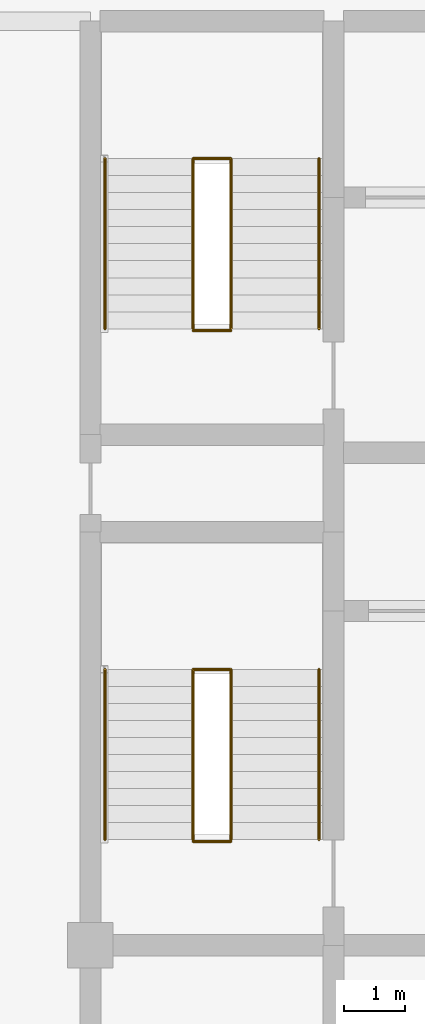
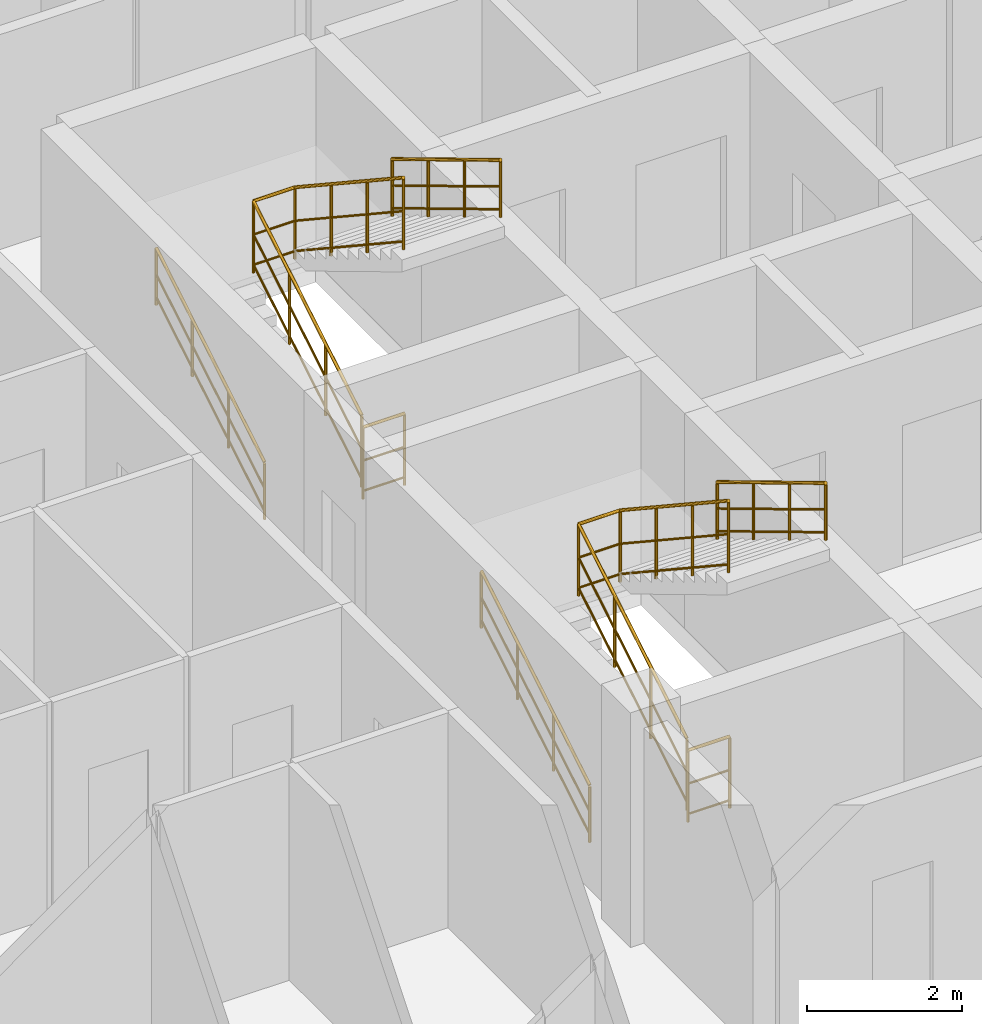
# One storey, part 27 of 27: 8 railings.
"""IFC4 building model written with IfcOpenShell, lengths in metres."""

from ifc_helpers import new_model, si_unit, direction, frame, origin, origin_2d, place, context, subcontext, project, spatial, circle, extrude, material, layer, layer_set, type_object, element, save


model = new_model("IFC4")

# Units and contexts
model_context = context("Model", 3, precision=1e-05, world=origin(), true_north=direction((0.0, 1.0)))
body_context = subcontext(model_context, "Body", "Model", "MODEL_VIEW")
ifc_project = project(units=[si_unit("LENGTHUNIT", "METRE"), si_unit("AREAUNIT", "SQUARE_METRE"), si_unit("VOLUMEUNIT", "CUBIC_METRE"), si_unit("PLANEANGLEUNIT", "RADIAN"), si_unit("MASSUNIT", "GRAM", prefix="KILO")], contexts=[model_context])

# Site, building, storey
site_placement = place(None, origin())
site = spatial("IfcSite", under=ifc_project, at=site_placement, CompositionType="ELEMENT")
building_placement = place(site_placement, origin())
building = spatial("IfcBuilding", under=site, at=building_placement, Name="Keshet Zoharim Tower", CompositionType="ELEMENT")
storey_placement = place(building_placement, frame((0.0, 0.0, 269.5)))
storey = spatial("IfcBuildingStorey", under=building, at=storey_placement, Name="L67", CompositionType="ELEMENT", Elevation=269.5)

# Railings
ifc_material = material(Name="Steel S355", Category="steel")
ifc_layer_1 = layer(ifc_material, 0.050048828125)
ifc_layer_set_1 = layer_set([ifc_layer_1], Name="Steel S355")
railing_type_1 = type_object("IfcRailingType", Name="RL-HND-092", PredefinedType="HANDRAIL", material=ifc_layer_set_1)
railing_1_placement = place(storey_placement, frame((15.239990234375, 24.43994140625, 0.168212890625)))
element("IfcRailing", 1, at=railing_1_placement, inside=storey, type_object=railing_type_1, Name="L67 ST-01 Flight 1 Wall Handrail", PredefinedType="HANDRAIL", context=body_context, shape_type="SweptSolid", body=[
    extrude(circle(Radius=0.02392578125, at=origin_2d()), frame((0.0, 0.0, 0.89599609375), z_axis=(0.0, 0.857242210791, 0.514913383045), x_axis=(-1.0, 0.0, 0.0)), (0.0, 0.0, 1.0), 3.266357421875),
    extrude(circle(Radius=0.01611328125, at=origin_2d()), frame((0.0, 0.0, 0.478271484375), z_axis=(0.0, 0.857242210791, 0.514913383045), x_axis=(-1.0, 0.0, 0.0)), (0.0, 0.0, 1.0), 3.266357421875),
    extrude(circle(Radius=0.01611328125, at=origin_2d()), frame((0.0, 0.0, 0.1201171875), z_axis=(0.0, 0.857242210791, 0.514913383045), x_axis=(-1.0, 0.0, 0.0)), (0.0, 0.0, 1.0), 3.266357421875),
    extrude(circle(Radius=0.02099609375, at=origin_2d()), origin(), (0.0, 0.0, 1.0), 0.871826171875),
    extrude(circle(Radius=0.02099609375, at=origin_2d()), frame((0.0, 0.933349609375, 0.560546875)), (0.0, 0.0, 1.0), 0.871826171875),
    extrude(circle(Radius=0.02099609375, at=origin_2d()), frame((0.0, 1.86669921875, 1.121337890625)), (0.0, 0.0, 1.0), 0.871826171875),
    extrude(circle(Radius=0.02099609375, at=origin_2d()), frame((0.0, 2.800048828125, 1.681884765625)), (0.0, 0.0, 1.0), 0.871826171875),
])
railing_2_placement = place(storey_placement, frame((18.760009765625, 27.239990234375, 2.018310546875)))
element("IfcRailing", 2, at=railing_2_placement, inside=storey, type_object=railing_type_1, Name="L67 ST-01 Flight 2 Wall Handrail", PredefinedType="HANDRAIL", context=body_context, shape_type="SweptSolid", body=[
    extrude(circle(Radius=0.02392578125, at=origin_2d()), frame((0.0, 0.0, 0.89599609375), z_axis=(0.0, -0.857275202839, 0.514858452973), x_axis=(1.0, 0.0, 0.0)), (0.0, 0.0, 1.0), 3.26611328125),
    extrude(circle(Radius=0.01611328125, at=origin_2d()), frame((0.0, 0.0, 0.478271484375), z_axis=(0.0, -0.857275202839, 0.514858452973), x_axis=(1.0, 0.0, 0.0)), (0.0, 0.0, 1.0), 3.26611328125),
    extrude(circle(Radius=0.01611328125, at=origin_2d()), frame((0.0, 0.0, 0.1201171875), z_axis=(0.0, -0.857275202839, 0.514858452973), x_axis=(1.0, 0.0, 0.0)), (0.0, 0.0, 1.0), 3.26611328125),
    extrude(circle(Radius=0.02099609375, at=origin_2d()), origin(), (0.0, 0.0, 1.0), 0.871826171875),
    extrude(circle(Radius=0.02099609375, at=origin_2d()), frame((0.0, -0.933349609375, 0.560546875)), (0.0, 0.0, 1.0), 0.871826171875),
    extrude(circle(Radius=0.02099609375, at=origin_2d()), frame((0.0, -1.86669921875, 1.12109375)), (0.0, 0.0, 1.0), 0.871826171875),
    extrude(circle(Radius=0.02099609375, at=origin_2d()), frame((0.0, -2.800048828125, 1.681640625)), (0.0, 0.0, 1.0), 0.871826171875),
])
railing_3_placement = place(storey_placement, frame((15.239990234375, 32.840087890625, 0.168212890625)))
element("IfcRailing", 3, at=railing_3_placement, inside=storey, type_object=railing_type_1, Name="L67 ST-02 Flight 1 Wall Handrail", PredefinedType="HANDRAIL", context=body_context, shape_type="SweptSolid", body=[
    extrude(circle(Radius=0.02392578125, at=origin_2d()), frame((0.0, 0.0, 0.89599609375), z_axis=(0.0, 0.857222391501, 0.514946377315), x_axis=(-1.0, 0.0, 0.0)), (0.0, 0.0, 1.0), 3.26611328125),
    extrude(circle(Radius=0.01611328125, at=origin_2d()), frame((0.0, 0.0, 0.478271484375), z_axis=(0.0, 0.857222391501, 0.514946377315), x_axis=(-1.0, 0.0, 0.0)), (0.0, 0.0, 1.0), 3.26611328125),
    extrude(circle(Radius=0.01611328125, at=origin_2d()), frame((0.0, 0.0, 0.1201171875), z_axis=(0.0, 0.857222391501, 0.514946377315), x_axis=(-1.0, 0.0, 0.0)), (0.0, 0.0, 1.0), 3.26611328125),
    extrude(circle(Radius=0.02099609375, at=origin_2d()), origin(), (0.0, 0.0, 1.0), 0.871826171875),
    extrude(circle(Radius=0.02099609375, at=origin_2d()), frame((0.0, 0.933349609375, 0.560546875)), (0.0, 0.0, 1.0), 0.871826171875),
    extrude(circle(Radius=0.02099609375, at=origin_2d()), frame((0.0, 1.866455078125, 1.121337890625)), (0.0, 0.0, 1.0), 0.871826171875),
    extrude(circle(Radius=0.02099609375, at=origin_2d()), frame((0.0, 2.7998046875, 1.681884765625)), (0.0, 0.0, 1.0), 0.871826171875),
])
railing_4_placement = place(storey_placement, frame((18.760009765625, 35.639892578125, 2.018310546875)))
element("IfcRailing", 4, at=railing_4_placement, inside=storey, type_object=railing_type_1, Name="L67 ST-02 Flight 2 Wall Handrail", PredefinedType="HANDRAIL", context=body_context, shape_type="SweptSolid", body=[
    extrude(circle(Radius=0.02392578125, at=origin_2d()), frame((0.0, 0.0, 0.89599609375), z_axis=(0.0, -0.857255387014, 0.514891446264), x_axis=(1.0, 0.0, 0.0)), (0.0, 0.0, 1.0), 3.26611328125),
    extrude(circle(Radius=0.01611328125, at=origin_2d()), frame((0.0, 0.0, 0.478271484375), z_axis=(0.0, -0.857255387014, 0.514891446264), x_axis=(1.0, 0.0, 0.0)), (0.0, 0.0, 1.0), 3.26611328125),
    extrude(circle(Radius=0.01611328125, at=origin_2d()), frame((0.0, 0.0, 0.1201171875), z_axis=(0.0, -0.857255387014, 0.514891446264), x_axis=(1.0, 0.0, 0.0)), (0.0, 0.0, 1.0), 3.26611328125),
    extrude(circle(Radius=0.02099609375, at=origin_2d()), origin(), (0.0, 0.0, 1.0), 0.871826171875),
    extrude(circle(Radius=0.02099609375, at=origin_2d()), frame((0.0, -0.933349609375, 0.560546875)), (0.0, 0.0, 1.0), 0.871826171875),
    extrude(circle(Radius=0.02099609375, at=origin_2d()), frame((0.0, -1.866455078125, 1.12109375)), (0.0, 0.0, 1.0), 0.871826171875),
    extrude(circle(Radius=0.02099609375, at=origin_2d()), frame((0.0, -2.7998046875, 1.681640625)), (0.0, 0.0, 1.0), 0.871826171875),
])
ifc_layer_2 = layer(ifc_material, 0.06005859375)
ifc_layer_set_2 = layer_set([ifc_layer_2], Name="Steel S355")
railing_type_2 = type_object("IfcRailingType", Name="RL-STG-115", PredefinedType="GUARDRAIL", material=ifc_layer_set_2)
railing_5_placement = place(storey_placement, frame((16.68994140625, 24.43994140625, 0.168212890625)))
element("IfcRailing", 5, at=railing_5_placement, inside=storey, type_object=railing_type_2, Name="L67 ST-01 Inner Well Guardrail", PredefinedType="GUARDRAIL", context=body_context, shape_type="SweptSolid", body=[
    extrude(circle(Radius=0.02392578125, at=origin_2d()), frame((0.0, 0.0, 1.1259765625), z_axis=(0.0, 0.857242210791, 0.514913383045), x_axis=(-1.0, 0.0, 0.0)), (0.0, 0.0, 1.0), 3.266357421875),
    extrude(circle(Radius=0.01611328125, at=origin_2d()), frame((0.0, 0.0, 0.597900390625), z_axis=(0.0, 0.857242210791, 0.514913383045), x_axis=(-1.0, 0.0, 0.0)), (0.0, 0.0, 1.0), 3.266357421875),
    extrude(circle(Radius=0.01611328125, at=origin_2d()), frame((0.0, 0.0, 0.1201171875), z_axis=(0.0, 0.857242210791, 0.514913383045), x_axis=(-1.0, 0.0, 0.0)), (0.0, 0.0, 1.0), 3.266357421875),
    extrude(circle(Radius=0.02392578125, at=origin_2d()), frame((0.0, 2.800048828125, 2.8076171875), z_axis=(1.0, 0.0, 0.0), x_axis=(0.0, 1.0, 0.0)), (0.0, 0.0, 1.0), 0.6201171875),
    extrude(circle(Radius=0.01611328125, at=origin_2d()), frame((0.0, 2.800048828125, 2.27978515625), z_axis=(1.0, 0.0, 0.0), x_axis=(0.0, 1.0, 0.0)), (0.0, 0.0, 1.0), 0.6201171875),
    extrude(circle(Radius=0.01611328125, at=origin_2d()), frame((0.0, 2.800048828125, 1.802001953125), z_axis=(1.0, 0.0, 0.0), x_axis=(0.0, 1.0, 0.0)), (0.0, 0.0, 1.0), 0.6201171875),
    extrude(circle(Radius=0.02392578125, at=origin_2d()), frame((0.6201171875, 2.800048828125, 2.8076171875), z_axis=(0.0, -0.83435981716, 0.551220187865), x_axis=(1.0, 0.0, 0.0)), (0.0, 0.0, 1.0), 3.35595703125),
    extrude(circle(Radius=0.01611328125, at=origin_2d()), frame((0.6201171875, 2.800048828125, 2.27978515625), z_axis=(0.0, -0.83435981716, 0.551220187865), x_axis=(1.0, 0.0, 0.0)), (0.0, 0.0, 1.0), 3.35595703125),
    extrude(circle(Radius=0.01611328125, at=origin_2d()), frame((0.6201171875, 2.800048828125, 1.802001953125), z_axis=(0.0, -0.83435981716, 0.551220187865), x_axis=(1.0, 0.0, 0.0)), (0.0, 0.0, 1.0), 3.35595703125),
    extrude(circle(Radius=0.02099609375, at=origin_2d()), origin(), (0.0, 0.0, 1.0), 1.101806640625),
    extrude(circle(Radius=0.02099609375, at=origin_2d()), frame((0.0, 0.933349609375, 0.560546875)), (0.0, 0.0, 1.0), 1.101806640625),
    extrude(circle(Radius=0.02099609375, at=origin_2d()), frame((0.0, 1.86669921875, 1.121337890625)), (0.0, 0.0, 1.0), 1.101806640625),
    extrude(circle(Radius=0.02099609375, at=origin_2d()), frame((0.0, 2.800048828125, 1.681884765625)), (0.0, 0.0, 1.0), 1.101806640625),
    extrude(circle(Radius=0.02099609375, at=origin_2d()), frame((0.6201171875, 2.800048828125, 1.681884765625)), (0.0, 0.0, 1.0), 1.101806640625),
    extrude(circle(Radius=0.02099609375, at=origin_2d()), frame((0.6201171875, 1.86669921875, 2.298583984375)), (0.0, 0.0, 1.0), 1.101806640625),
    extrude(circle(Radius=0.02099609375, at=origin_2d()), frame((0.6201171875, 0.933349609375, 2.9150390625)), (0.0, 0.0, 1.0), 1.101806640625),
    extrude(circle(Radius=0.02099609375, at=origin_2d()), frame((0.6201171875, 0.0, 3.53173828125)), (0.0, 0.0, 1.0), 1.101806640625),
])
railing_6_placement = place(storey_placement, frame((16.68994140625, 24.409912109375, 0.0)))
element("IfcRailing", 6, at=railing_6_placement, inside=storey, type_object=railing_type_2, Name="L67 ST-01 Stairwell Floor Guardrail", PredefinedType="GUARDRAIL", context=body_context, shape_type="SweptSolid", body=[
    extrude(circle(Radius=0.02392578125, at=origin_2d()), frame((0.0, 0.0, 1.1259765625), z_axis=(1.0, 0.0, 0.0), x_axis=(0.0, 1.0, 0.0)), (0.0, 0.0, 1.0), 0.6201171875),
    extrude(circle(Radius=0.01611328125, at=origin_2d()), frame((0.0, 0.0, 0.597900390625), z_axis=(1.0, 0.0, 0.0), x_axis=(0.0, 1.0, 0.0)), (0.0, 0.0, 1.0), 0.6201171875),
    extrude(circle(Radius=0.01611328125, at=origin_2d()), frame((0.0, 0.0, 0.1201171875), z_axis=(1.0, 0.0, 0.0), x_axis=(0.0, 1.0, 0.0)), (0.0, 0.0, 1.0), 0.6201171875),
    extrude(circle(Radius=0.02099609375, at=origin_2d()), origin(), (0.0, 0.0, 1.0), 1.101806640625),
    extrude(circle(Radius=0.02099609375, at=origin_2d()), frame((0.6201171875, 0.0, 0.0)), (0.0, 0.0, 1.0), 1.101806640625),
])
railing_7_placement = place(storey_placement, frame((16.68994140625, 32.840087890625, 0.168212890625)))
element("IfcRailing", 7, at=railing_7_placement, inside=storey, type_object=railing_type_2, Name="L67 ST-02 Inner Well Guardrail", PredefinedType="GUARDRAIL", context=body_context, shape_type="SweptSolid", body=[
    extrude(circle(Radius=0.02392578125, at=origin_2d()), frame((0.0, 0.0, 1.1259765625), z_axis=(0.0, 0.857222391501, 0.514946377315), x_axis=(-1.0, 0.0, 0.0)), (0.0, 0.0, 1.0), 3.26611328125),
    extrude(circle(Radius=0.01611328125, at=origin_2d()), frame((0.0, 0.0, 0.597900390625), z_axis=(0.0, 0.857222391501, 0.514946377315), x_axis=(-1.0, 0.0, 0.0)), (0.0, 0.0, 1.0), 3.26611328125),
    extrude(circle(Radius=0.01611328125, at=origin_2d()), frame((0.0, 0.0, 0.1201171875), z_axis=(0.0, 0.857222391501, 0.514946377315), x_axis=(-1.0, 0.0, 0.0)), (0.0, 0.0, 1.0), 3.26611328125),
    extrude(circle(Radius=0.02392578125, at=origin_2d()), frame((0.0, 2.7998046875, 2.8076171875), z_axis=(1.0, 0.0, 0.0), x_axis=(0.0, 1.0, 0.0)), (0.0, 0.0, 1.0), 0.6201171875),
    extrude(circle(Radius=0.01611328125, at=origin_2d()), frame((0.0, 2.7998046875, 2.27978515625), z_axis=(1.0, 0.0, 0.0), x_axis=(0.0, 1.0, 0.0)), (0.0, 0.0, 1.0), 0.6201171875),
    extrude(circle(Radius=0.01611328125, at=origin_2d()), frame((0.0, 2.7998046875, 1.802001953125), z_axis=(1.0, 0.0, 0.0), x_axis=(0.0, 1.0, 0.0)), (0.0, 0.0, 1.0), 0.6201171875),
    extrude(circle(Radius=0.02392578125, at=origin_2d()), frame((0.6201171875, 2.7998046875, 2.8076171875), z_axis=(0.0, -0.834337710781, 0.551253647941), x_axis=(1.0, 0.0, 0.0)), (0.0, 0.0, 1.0), 3.355712890625),
    extrude(circle(Radius=0.01611328125, at=origin_2d()), frame((0.6201171875, 2.7998046875, 2.27978515625), z_axis=(0.0, -0.834337710781, 0.551253647941), x_axis=(1.0, 0.0, 0.0)), (0.0, 0.0, 1.0), 3.355712890625),
    extrude(circle(Radius=0.01611328125, at=origin_2d()), frame((0.6201171875, 2.7998046875, 1.802001953125), z_axis=(0.0, -0.834337710781, 0.551253647941), x_axis=(1.0, 0.0, 0.0)), (0.0, 0.0, 1.0), 3.355712890625),
    extrude(circle(Radius=0.02099609375, at=origin_2d()), origin(), (0.0, 0.0, 1.0), 1.101806640625),
    extrude(circle(Radius=0.02099609375, at=origin_2d()), frame((0.0, 0.933349609375, 0.560546875)), (0.0, 0.0, 1.0), 1.101806640625),
    extrude(circle(Radius=0.02099609375, at=origin_2d()), frame((0.0, 1.866455078125, 1.121337890625)), (0.0, 0.0, 1.0), 1.101806640625),
    extrude(circle(Radius=0.02099609375, at=origin_2d()), frame((0.0, 2.7998046875, 1.681884765625)), (0.0, 0.0, 1.0), 1.101806640625),
    extrude(circle(Radius=0.02099609375, at=origin_2d()), frame((0.6201171875, 2.7998046875, 1.681884765625)), (0.0, 0.0, 1.0), 1.101806640625),
    extrude(circle(Radius=0.02099609375, at=origin_2d()), frame((0.6201171875, 1.866455078125, 2.298583984375)), (0.0, 0.0, 1.0), 1.101806640625),
    extrude(circle(Radius=0.02099609375, at=origin_2d()), frame((0.6201171875, 0.933349609375, 2.9150390625)), (0.0, 0.0, 1.0), 1.101806640625),
    extrude(circle(Radius=0.02099609375, at=origin_2d()), frame((0.6201171875, 0.0, 3.53173828125)), (0.0, 0.0, 1.0), 1.101806640625),
])
railing_8_placement = place(storey_placement, frame((16.68994140625, 32.81005859375, 0.0)))
element("IfcRailing", 8, at=railing_8_placement, inside=storey, type_object=railing_type_2, Name="L67 ST-02 Stairwell Floor Guardrail", PredefinedType="GUARDRAIL", context=body_context, shape_type="SweptSolid", body=[
    extrude(circle(Radius=0.02392578125, at=origin_2d()), frame((0.0, 0.0, 1.1259765625), z_axis=(1.0, 0.0, 0.0), x_axis=(0.0, 1.0, 0.0)), (0.0, 0.0, 1.0), 0.6201171875),
    extrude(circle(Radius=0.01611328125, at=origin_2d()), frame((0.0, 0.0, 0.597900390625), z_axis=(1.0, 0.0, 0.0), x_axis=(0.0, 1.0, 0.0)), (0.0, 0.0, 1.0), 0.6201171875),
    extrude(circle(Radius=0.01611328125, at=origin_2d()), frame((0.0, 0.0, 0.1201171875), z_axis=(1.0, 0.0, 0.0), x_axis=(0.0, 1.0, 0.0)), (0.0, 0.0, 1.0), 0.6201171875),
    extrude(circle(Radius=0.02099609375, at=origin_2d()), origin(), (0.0, 0.0, 1.0), 1.101806640625),
    extrude(circle(Radius=0.02099609375, at=origin_2d()), frame((0.6201171875, 0.0, 0.0)), (0.0, 0.0, 1.0), 1.101806640625),
])

save(model, "model.ifc")
